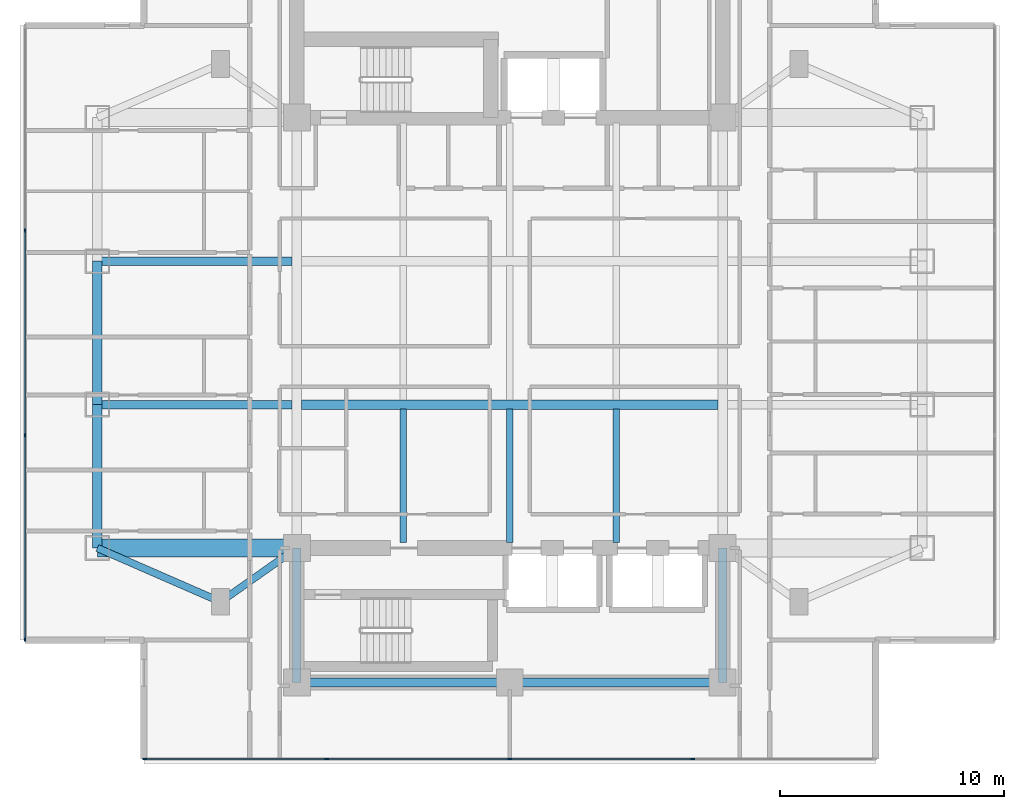
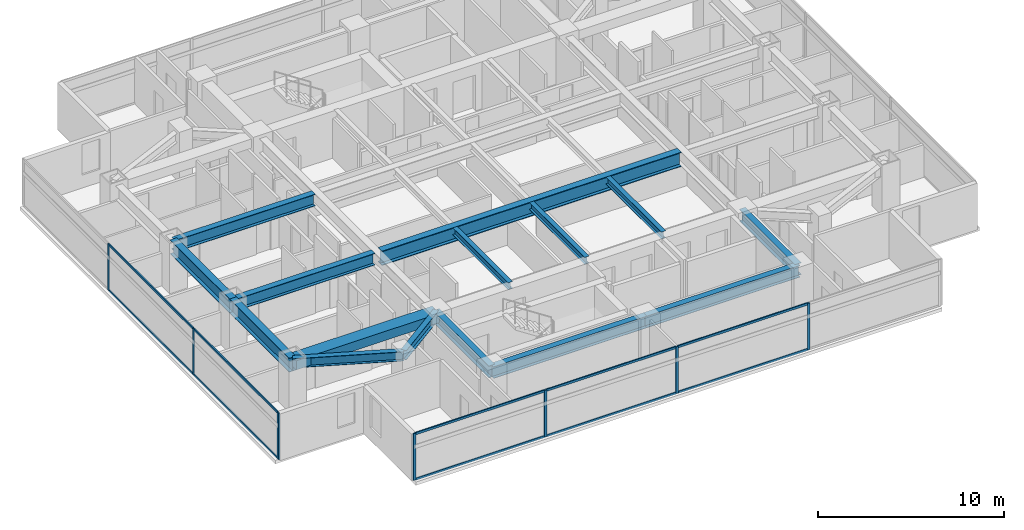
# One storey, part 2 of 25: 17 members, 15 beams, 2 elements without a shape of their own.
"""IFC4 building model written with IfcOpenShell, lengths in metres."""

from ifc_helpers import new_model, si_unit, direction, frame, origin, origin_2d, place, context, subcontext, project, spatial, rectangle, i_section, extrude, material, material_profile, profile_set, type_object, element, aggregate, save


model = new_model("IFC4")

# Units and contexts
model_context = context("Model", 3, precision=1e-05, world=origin(), true_north=direction((0.0, 1.0)))
body_context = subcontext(model_context, "Body", "Model", "MODEL_VIEW")
ifc_project = project(units=[si_unit("LENGTHUNIT", "METRE"), si_unit("AREAUNIT", "SQUARE_METRE"), si_unit("VOLUMEUNIT", "CUBIC_METRE"), si_unit("PLANEANGLEUNIT", "RADIAN"), si_unit("MASSUNIT", "GRAM", prefix="KILO")], contexts=[model_context])

# Site, building, storey
site_placement = place(None, origin())
site = spatial("IfcSite", under=ifc_project, at=site_placement, CompositionType="ELEMENT")
building_placement = place(site_placement, origin())
building = spatial("IfcBuilding", under=site, at=building_placement, Name="Mirazonda Arch Towers", CompositionType="ELEMENT")
storey_placement = place(building_placement, frame((0.0, 0.0, 104.89990234375)))
storey = spatial("IfcBuildingStorey", under=building, at=storey_placement, Name="L29", CompositionType="ELEMENT", Elevation=104.89990234375)

# Beams
ifc_material_1 = material(Name="Steel ASTM A992 Grade 50", Category="steel")
ifc_material_profile_1 = material_profile(ifc_material_1, i_section(OverallWidth=0.41796875, OverallDepth=0.927001953125, WebThickness=0.019287109375, FlangeThickness=0.031982421875, at=origin_2d()), Name="W36X231")
ifc_profile_set_1 = profile_set([ifc_material_profile_1], Name="Steel ASTM A992 Grade 50")
beam_type_1 = type_object("IfcBeamType", Name="BM-EXT-W36X231", PredefinedType="USERDEFINED", material=ifc_profile_set_1)
beam_1_placement = place(storey_placement, frame((2.10009765625, 18.39990234375, 2.61669921875), z_axis=(0.0, 1.0, 0.0), x_axis=(-1.0, 0.0, 0.0)))
element("IfcBeam", 1, at=beam_1_placement, inside=storey, type_object=beam_type_1, Name="L29 Floor Beam BM-T1-L29-NS-W-18", ObjectType="GIRDER", PredefinedType="USERDEFINED", context=body_context, shape_type="SweptSolid", body=[
    extrude(i_section(OverallWidth=0.41796875, OverallDepth=0.927001953125, WebThickness=0.019287109375, FlangeThickness=0.031982421875, at=origin_2d()), origin(), (0.0, 0.0, 1.0), 6.400146484375),
])
beam_2_placement = place(storey_placement, frame((2.10009765625, 24.800048828125, 2.61669921875), z_axis=(0.0, 1.0, 0.0), x_axis=(-1.0, 0.0, 0.0)))
element("IfcBeam", 2, at=beam_2_placement, inside=storey, type_object=beam_type_1, Name="L29 Floor Beam BM-T1-L29-NS-W-24", ObjectType="GIRDER", PredefinedType="USERDEFINED", context=body_context, shape_type="SweptSolid", body=[
    extrude(i_section(OverallWidth=0.41796875, OverallDepth=0.927001953125, WebThickness=0.019287109375, FlangeThickness=0.031982421875, at=origin_2d()), origin(), (0.0, 0.0, 1.0), 6.39990234375),
])
ifc_material_profile_2 = material_profile(ifc_material_1, i_section(OverallWidth=0.280029296875, OverallDepth=0.462890625, WebThickness=0.0107421875, FlangeThickness=0.017333984375, at=origin_2d()), Name="W18X76")
ifc_profile_set_2 = profile_set([ifc_material_profile_2], Name="Steel ASTM A992 Grade 50")
beam_type_2 = type_object("IfcBeamType", Name="BM-INT-W18X76", PredefinedType="JOIST", material=ifc_profile_set_2)
for number, where, z_axis, x_axis, name in (
    (3, (15.75, 18.639892578125, 2.8486328125), (0.0, 1.0, 0.0), (-1.0, 0.0, 0.0), "L29 Floor Beam BM-T1-L29-J-157-18"),
    (4, (20.5, 18.639892578125, 2.8486328125), (0.0, 1.0, 0.0), (-1.0, 0.0, 0.0), "L29 Floor Beam BM-T1-L29-J-205-18"),
    (5, (25.25, 18.639892578125, 2.8486328125), (0.0, 1.0, 0.0), (-1.0, 0.0, 0.0), "L29 Floor Beam BM-T1-L29-J-252-18"),
):
    element("IfcBeam", number, at=place(storey_placement, frame(where, z_axis=z_axis, x_axis=x_axis)), inside=storey, type_object=beam_type_2, Name=name, PredefinedType="JOIST", context=body_context, shape_type="SweptSolid", body=[
        extrude(i_section(OverallWidth=0.280029296875, OverallDepth=0.462890625, WebThickness=0.0107421875, FlangeThickness=0.017333984375, at=origin_2d()), origin(), (0.0, 0.0, 1.0), 5.95263671875),
    ])
ifc_material_profile_3 = material_profile(ifc_material_1, i_section(OverallWidth=0.324951171875, OverallDepth=0.615966796875, WebThickness=0.013916015625, FlangeThickness=0.021484375, at=origin_2d()), Name="W24X117")
ifc_profile_set_3 = profile_set([ifc_material_profile_3], Name="Steel ASTM A992 Grade 50")
beam_type_3 = type_object("IfcBeamType", Name="BM-INT-W24X117", PredefinedType="BEAM", material=ifc_profile_set_3)
beam_3_placement = place(storey_placement, frame((7.60009765625, 16.0, 2.772216796875), z_axis=(0.816971114901, 0.576678591087, 0.0), x_axis=(-0.576678591087, 0.816971114901, 0.0)))
element("IfcBeam", 6, at=beam_3_placement, inside=storey, type_object=beam_type_3, Name="L29 Floor Beam BM-T1-L29-PL-SW1", PredefinedType="BEAM", context=body_context, shape_type="SweptSolid", body=[
    extrude(i_section(OverallWidth=0.324951171875, OverallDepth=0.615966796875, WebThickness=0.013916015625, FlangeThickness=0.021484375, at=origin_2d()), origin(), (0.0, 0.0, 1.0), 4.16162109375),
])
beam_4_placement = place(storey_placement, frame((7.60009765625, 16.0, 2.772216796875), z_axis=(-0.916545343703, 0.399930785183, 0.0), x_axis=(-0.399930785183, -0.916545343703, 0.0)))
element("IfcBeam", 7, at=beam_4_placement, inside=storey, type_object=beam_type_3, Name="L29 Floor Beam BM-T1-L29-PL-SW2", PredefinedType="BEAM", context=body_context, shape_type="SweptSolid", body=[
    extrude(i_section(OverallWidth=0.324951171875, OverallDepth=0.615966796875, WebThickness=0.013916015625, FlangeThickness=0.021484375, at=origin_2d()), origin(), (0.0, 0.0, 1.0), 6.000732421875),
])
ifc_material_profile_4 = material_profile(ifc_material_1, i_section(OverallWidth=0.381103515625, OverallDepth=0.77294921875, WebThickness=0.0166015625, FlangeThickness=0.027099609375, at=origin_2d()), Name="W30X173")
ifc_profile_set_4 = profile_set([ifc_material_profile_4], Name="Steel ASTM A992 Grade 50")
beam_type_4 = type_object("IfcBeamType", Name="BM-INT-W30X173", PredefinedType="USERDEFINED", material=ifc_profile_set_4)
for number, where, z_axis, x_axis, name in (
    (8, (2.10009765625, 24.800048828125, 2.693603515625), (1.0, 0.0, 0.0), (0.0, 1.0, 0.0), "L29 Floor Beam BM-T1-L29-GW2"),
    (9, (2.10009765625, 31.199951171875, 2.693603515625), (1.0, 0.0, 0.0), (0.0, 1.0, 0.0), "L29 Floor Beam BM-T1-L29-GW3"),
):
    element("IfcBeam", number, at=place(storey_placement, frame(where, z_axis=z_axis, x_axis=x_axis)), inside=storey, type_object=beam_type_4, Name=name, ObjectType="GIRDER", PredefinedType="USERDEFINED", context=body_context, shape_type="SweptSolid", body=[
        extrude(i_section(OverallWidth=0.381103515625, OverallDepth=0.77294921875, WebThickness=0.0166015625, FlangeThickness=0.027099609375, at=origin_2d()), origin(), (0.0, 0.0, 1.0), 8.6884765625),
    ])
for number, where, z_axis, x_axis, name in (
    (10, (11.0, 12.39990234375, 2.693603515625), (1.0, 0.0, 0.0), (0.0, 1.0, 0.0), "L29 Floor Beam BM-T1-L29-CS1"),
    (11, (20.5, 12.39990234375, 2.693603515625), (1.0, 0.0, 0.0), (0.0, 1.0, 0.0), "L29 Floor Beam BM-T1-L29-CS2"),
):
    element("IfcBeam", number, at=place(storey_placement, frame(where, z_axis=z_axis, x_axis=x_axis)), inside=storey, type_object=beam_type_4, Name=name, ObjectType="GIRDER", PredefinedType="USERDEFINED", context=body_context, shape_type="SweptSolid", body=[
        extrude(i_section(OverallWidth=0.381103515625, OverallDepth=0.77294921875, WebThickness=0.0166015625, FlangeThickness=0.027099609375, at=origin_2d()), origin(), (0.0, 0.0, 1.0), 9.5),
    ])
for number, where, z_axis, x_axis, name in (
    (12, (11.0, 12.39990234375, 2.693603515625), (0.0, 1.0, 0.0), (-1.0, 0.0, 0.0), "L29 Floor Beam BM-T1-L29-CSW"),
    (13, (30.0, 12.39990234375, 2.693603515625), (0.0, 1.0, 0.0), (-1.0, 0.0, 0.0), "L29 Floor Beam BM-T1-L29-CSE"),
):
    element("IfcBeam", number, at=place(storey_placement, frame(where, z_axis=z_axis, x_axis=x_axis)), inside=storey, type_object=beam_type_4, Name=name, ObjectType="GIRDER", PredefinedType="USERDEFINED", context=body_context, shape_type="SweptSolid", body=[
        extrude(i_section(OverallWidth=0.381103515625, OverallDepth=0.77294921875, WebThickness=0.0166015625, FlangeThickness=0.027099609375, at=origin_2d()), origin(), (0.0, 0.0, 1.0), 6.0),
    ])
ifc_material_profile_5 = material_profile(ifc_material_1, i_section(OverallWidth=0.423095703125, OverallDepth=0.947998046875, WebThickness=0.02392578125, FlangeThickness=0.042724609375, at=origin_2d()), Name="W36X302")
ifc_profile_set_5 = profile_set([ifc_material_profile_5], Name="Steel ASTM A992 Grade 50")
beam_type_5 = type_object("IfcBeamType", Name="BM-INT-W36X302", PredefinedType="USERDEFINED", material=ifc_profile_set_5)
beam_5_placement = place(storey_placement, frame((11.21142578125, 24.800048828125, 2.606201171875), z_axis=(1.0, 0.0, 0.0), x_axis=(0.0, 1.0, 0.0)))
element("IfcBeam", 14, at=beam_5_placement, inside=storey, type_object=beam_type_5, Name="L29 Floor Beam BM-T1-L29-GC2", ObjectType="GIRDER", PredefinedType="USERDEFINED", context=body_context, shape_type="SweptSolid", body=[
    extrude(i_section(OverallWidth=0.423095703125, OverallDepth=0.947998046875, WebThickness=0.02392578125, FlangeThickness=0.042724609375, at=origin_2d()), origin(), (0.0, 0.0, 1.0), 18.5771484375),
])
ifc_material_2 = material(Name="Concrete C60/75", Category="concrete")
ifc_material_profile_6 = material_profile(ifc_material_2, rectangle(XDim=0.800048828125, YDim=0.60009765625, at=origin_2d()), Name="RCCB800x600")
ifc_profile_set_6 = profile_set([ifc_material_profile_6], Name="Concrete C60/75")
beam_type_6 = type_object("IfcBeamType", Name="CB-INT-RCCB800x600", PredefinedType="SPANDREL", material=ifc_profile_set_6)
beam_6_placement = place(storey_placement, frame((2.10009765625, 18.39990234375, 2.780029296875), z_axis=(1.0, 0.0, 0.0), x_axis=(0.0, 1.0, 0.0)))
element("IfcBeam", 15, at=beam_6_placement, inside=storey, type_object=beam_type_6, Name="L29 Floor Beam CBC-T1-L29-SW", PredefinedType="SPANDREL", context=body_context, shape_type="SweptSolid", body=[
    extrude(rectangle(XDim=0.800048828125, YDim=0.60009765625, at=origin_2d()), origin(), (0.0, 0.0, 1.0), 8.89990234375),
])

# Curtain wall, members
ifc_material_3 = material(Name="Anodised Aluminium and Low-E Glass", Category="aluminium")
curtain_wall_type = type_object("IfcCurtainWallType", Name="CW-HTL-UNIT", PredefinedType="NOTDEFINED", material=ifc_material_3)
curtain_wall_1_placement = place(storey_placement, origin())
curtain_wall_1 = element("IfcCurtainWall", 16, at=curtain_wall_1_placement, inside=storey, type_object=curtain_wall_type, Name="L29 T1 S Facade CW-L29-T1-S", PredefinedType="NOTDEFINED")
ifc_material_4 = material(Name="Anodised Aluminium Alloy", Category="aluminium")
ifc_material_profile_7 = material_profile(ifc_material_4, rectangle(XDim=0.074951171875, YDim=0.1650390625, at=origin_2d()), Name="ALU-MULL-75x165")
ifc_profile_set_7 = profile_set([ifc_material_profile_7], Name="Anodised Aluminium Alloy")
member_type_1 = type_object("IfcMemberType", Name="MULL-CW-HTL-UNIT", PredefinedType="MULLION", material=ifc_profile_set_7)
member_1_placement = place(storey_placement, frame((28.66259765625, 8.97998046875, 0.0), z_axis=(0.0, 0.0, 1.0), x_axis=(0.0, -1.0, 0.0)))
member_1 = element("IfcMember", 17, at=member_1_placement, type_object=member_type_1, Name="CW-112 mullion 2", PredefinedType="MULLION", context=body_context, shape_type="SweptSolid", body=[
    extrude(rectangle(XDim=0.074951171875, YDim=0.1650390625, at=origin_2d()), origin(), (0.0, 0.0, 1.0), 3.06005859375),
])
member_2_placement = place(storey_placement, frame((20.5, 8.97998046875, 0.0), z_axis=(0.0, 0.0, 1.0), x_axis=(0.0, -1.0, 0.0)))
member_2 = element("IfcMember", 18, at=member_2_placement, type_object=member_type_1, Name="CW-112 mullion 3", PredefinedType="MULLION", context=body_context, shape_type="SweptSolid", body=[
    extrude(rectangle(XDim=0.074951171875, YDim=0.1650390625, at=origin_2d()), origin(), (0.0, 0.0, 1.0), 3.06005859375),
])
member_3_placement = place(storey_placement, frame((12.33740234375, 8.97998046875, 0.0), z_axis=(0.0, 0.0, 1.0), x_axis=(0.0, -1.0, 0.0)))
member_3 = element("IfcMember", 19, at=member_3_placement, type_object=member_type_1, Name="CW-112 mullion 4", PredefinedType="MULLION", context=body_context, shape_type="SweptSolid", body=[
    extrude(rectangle(XDim=0.074951171875, YDim=0.1650390625, at=origin_2d()), origin(), (0.0, 0.0, 1.0), 3.06005859375),
])
member_4_placement = place(storey_placement, frame((4.21240234375, 8.97998046875, 0.0), z_axis=(0.0, 0.0, 1.0), x_axis=(0.0, -1.0, 0.0)))
member_4 = element("IfcMember", 20, at=member_4_placement, type_object=member_type_1, Name="CW-112 mullion 5", PredefinedType="MULLION", context=body_context, shape_type="SweptSolid", body=[
    extrude(rectangle(XDim=0.074951171875, YDim=0.1650390625, at=origin_2d()), origin(), (0.0, 0.0, 1.0), 3.06005859375),
])

curtain_wall_2_placement = place(storey_placement, origin())
curtain_wall_2 = element("IfcCurtainWall", 21, at=curtain_wall_2_placement, inside=storey, type_object=curtain_wall_type, Name="L29 T1 W Facade CW-L29-T1-W", PredefinedType="NOTDEFINED")
member_5_placement = place(storey_placement, frame((-1.1298828125, 32.57177734375, 0.0), z_axis=(0.0, 0.0, 1.0), x_axis=(1.0, 0.0, 0.0)))
member_5 = element("IfcMember", 22, at=member_5_placement, type_object=member_type_1, Name="CW-112 mullion 2", PredefinedType="MULLION", context=body_context, shape_type="SweptSolid", body=[
    extrude(rectangle(XDim=0.074951171875, YDim=0.1650390625, at=origin_2d()), origin(), (0.0, 0.0, 1.0), 3.06005859375),
])
member_6_placement = place(storey_placement, frame((-1.1298828125, 23.42822265625, 0.0), z_axis=(0.0, 0.0, 1.0), x_axis=(1.0, 0.0, 0.0)))
member_6 = element("IfcMember", 23, at=member_6_placement, type_object=member_type_1, Name="CW-112 mullion 3", PredefinedType="MULLION", context=body_context, shape_type="SweptSolid", body=[
    extrude(rectangle(XDim=0.074951171875, YDim=0.1650390625, at=origin_2d()), origin(), (0.0, 0.0, 1.0), 3.06005859375),
])
member_7_placement = place(storey_placement, frame((-1.1298828125, 14.322509765625, 0.0), z_axis=(0.0, 0.0, 1.0), x_axis=(1.0, 0.0, 0.0)))
member_7 = element("IfcMember", 24, at=member_7_placement, type_object=member_type_1, Name="CW-112 mullion 4", PredefinedType="MULLION", context=body_context, shape_type="SweptSolid", body=[
    extrude(rectangle(XDim=0.074951171875, YDim=0.1650390625, at=origin_2d()), origin(), (0.0, 0.0, 1.0), 3.06005859375),
])

# Member
ifc_material_profile_8 = material_profile(ifc_material_4, rectangle(XDim=0.074951171875, YDim=0.14501953125, at=origin_2d()), Name="ALU-TRAN-75x145")
ifc_profile_set_8 = profile_set([ifc_material_profile_8], Name="Anodised Aluminium Alloy")
member_type_2 = type_object("IfcMemberType", Name="TRAN-CW-HTL-UNIT", PredefinedType="USERDEFINED", material=ifc_profile_set_8)
member_8_placement = place(storey_placement, frame((28.625, 8.97998046875, 0.03759765625), z_axis=(-1.0, 0.0, 0.0), x_axis=(0.0, -1.0, 0.0)))
member_8 = element("IfcMember", 25, at=member_8_placement, type_object=member_type_2, Name="CW-112 transom 2.1", ObjectType="TRANSOM", PredefinedType="USERDEFINED", context=body_context, shape_type="SweptSolid", body=[
    extrude(rectangle(XDim=0.074951171875, YDim=0.14501953125, at=origin_2d()), origin(), (0.0, 0.0, 1.0), 8.08740234375),
])

member_9_placement = place(storey_placement, frame((28.625, 8.97998046875, 3.022705078125), z_axis=(-1.0, 0.0, 0.0), x_axis=(0.0, -1.0, 0.0)))
member_9 = element("IfcMember", 26, at=member_9_placement, type_object=member_type_2, Name="CW-112 transom 2.2", ObjectType="TRANSOM", PredefinedType="USERDEFINED", context=body_context, shape_type="SweptSolid", body=[
    extrude(rectangle(XDim=0.074951171875, YDim=0.14501953125, at=origin_2d()), origin(), (0.0, 0.0, 1.0), 8.08740234375),
])

member_10_placement = place(storey_placement, frame((20.46240234375, 8.97998046875, 0.03759765625), z_axis=(-1.0, 0.0, 0.0), x_axis=(0.0, -1.0, 0.0)))
member_10 = element("IfcMember", 27, at=member_10_placement, type_object=member_type_2, Name="CW-112 transom 3.1", ObjectType="TRANSOM", PredefinedType="USERDEFINED", context=body_context, shape_type="SweptSolid", body=[
    extrude(rectangle(XDim=0.074951171875, YDim=0.14501953125, at=origin_2d()), origin(), (0.0, 0.0, 1.0), 8.08740234375),
])

member_11_placement = place(storey_placement, frame((20.46240234375, 8.97998046875, 3.022705078125), z_axis=(-1.0, 0.0, 0.0), x_axis=(0.0, -1.0, 0.0)))
member_11 = element("IfcMember", 28, at=member_11_placement, type_object=member_type_2, Name="CW-112 transom 3.2", ObjectType="TRANSOM", PredefinedType="USERDEFINED", context=body_context, shape_type="SweptSolid", body=[
    extrude(rectangle(XDim=0.074951171875, YDim=0.14501953125, at=origin_2d()), origin(), (0.0, 0.0, 1.0), 8.08740234375),
])

member_12_placement = place(storey_placement, frame((12.300048828125, 8.97998046875, 0.03759765625), z_axis=(-1.0, 0.0, 0.0), x_axis=(0.0, -1.0, 0.0)))
member_12 = element("IfcMember", 29, at=member_12_placement, type_object=member_type_2, Name="CW-112 transom 4.1", ObjectType="TRANSOM", PredefinedType="USERDEFINED", context=body_context, shape_type="SweptSolid", body=[
    extrude(rectangle(XDim=0.074951171875, YDim=0.14501953125, at=origin_2d()), origin(), (0.0, 0.0, 1.0), 8.050048828125),
])

member_13_placement = place(storey_placement, frame((12.300048828125, 8.97998046875, 3.022705078125), z_axis=(-1.0, 0.0, 0.0), x_axis=(0.0, -1.0, 0.0)))
member_13 = element("IfcMember", 30, at=member_13_placement, type_object=member_type_2, Name="CW-112 transom 4.2", ObjectType="TRANSOM", PredefinedType="USERDEFINED", context=body_context, shape_type="SweptSolid", body=[
    extrude(rectangle(XDim=0.074951171875, YDim=0.14501953125, at=origin_2d()), origin(), (0.0, 0.0, 1.0), 8.050048828125),
])

aggregate(curtain_wall_1, [member_1, member_2, member_3, member_4, member_8, member_9, member_10, member_11, member_12, member_13])

member_14_placement = place(storey_placement, frame((-1.1298828125, 32.5341796875, 0.03759765625), z_axis=(0.0, -1.0, 0.0), x_axis=(1.0, 0.0, 0.0)))
member_14 = element("IfcMember", 31, at=member_14_placement, type_object=member_type_2, Name="CW-112 transom 2.1", ObjectType="TRANSOM", PredefinedType="USERDEFINED", context=body_context, shape_type="SweptSolid", body=[
    extrude(rectangle(XDim=0.074951171875, YDim=0.14501953125, at=origin_2d()), origin(), (0.0, 0.0, 1.0), 9.068359375),
])

member_15_placement = place(storey_placement, frame((-1.1298828125, 32.5341796875, 3.022705078125), z_axis=(0.0, -1.0, 0.0), x_axis=(1.0, 0.0, 0.0)))
member_15 = element("IfcMember", 32, at=member_15_placement, type_object=member_type_2, Name="CW-112 transom 2.2", ObjectType="TRANSOM", PredefinedType="USERDEFINED", context=body_context, shape_type="SweptSolid", body=[
    extrude(rectangle(XDim=0.074951171875, YDim=0.14501953125, at=origin_2d()), origin(), (0.0, 0.0, 1.0), 9.068359375),
])

member_16_placement = place(storey_placement, frame((-1.1298828125, 23.390869140625, 0.03759765625), z_axis=(0.0, -1.0, 0.0), x_axis=(1.0, 0.0, 0.0)))
member_16 = element("IfcMember", 33, at=member_16_placement, type_object=member_type_2, Name="CW-112 transom 3.1", ObjectType="TRANSOM", PredefinedType="USERDEFINED", context=body_context, shape_type="SweptSolid", body=[
    extrude(rectangle(XDim=0.074951171875, YDim=0.14501953125, at=origin_2d()), origin(), (0.0, 0.0, 1.0), 9.03076171875),
])

member_17_placement = place(storey_placement, frame((-1.1298828125, 23.390869140625, 3.022705078125), z_axis=(0.0, -1.0, 0.0), x_axis=(1.0, 0.0, 0.0)))
member_17 = element("IfcMember", 34, at=member_17_placement, type_object=member_type_2, Name="CW-112 transom 3.2", ObjectType="TRANSOM", PredefinedType="USERDEFINED", context=body_context, shape_type="SweptSolid", body=[
    extrude(rectangle(XDim=0.074951171875, YDim=0.14501953125, at=origin_2d()), origin(), (0.0, 0.0, 1.0), 9.03076171875),
])

aggregate(curtain_wall_2, [member_5, member_6, member_7, member_14, member_15, member_16, member_17])

save(model, "model.ifc")
